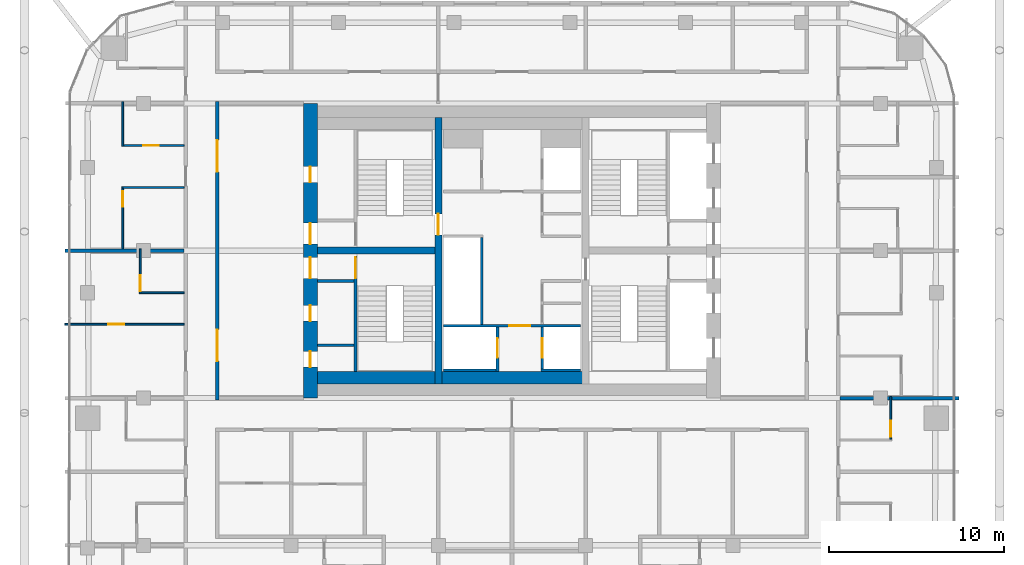
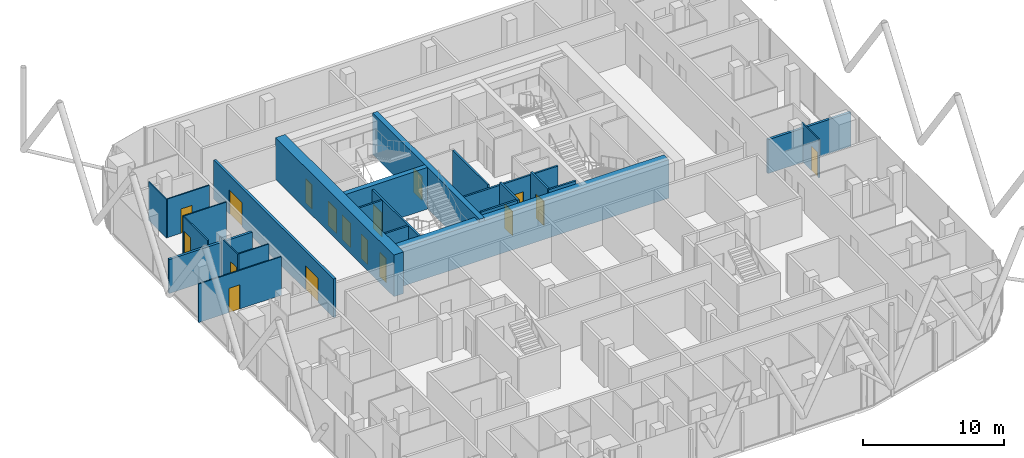
# One storey, part 24 of 28: 24 walls, 17 doors, 17 openings.
"""IFC4 building model written with IfcOpenShell, lengths in metres."""

from ifc_helpers import new_model, si_unit, direction, frame, frame_2d, origin, place, context, subcontext, project, spatial, rectangle, extrude, material, layer, layer_set, type_object, element, fill, save


model = new_model("IFC4")

# Units and contexts
model_context = context("Model", 3, precision=1e-05, world=origin(), true_north=direction((0.0, 1.0)))
body_context = subcontext(model_context, "Body", "Model", "MODEL_VIEW")
ifc_project = project(units=[si_unit("LENGTHUNIT", "METRE"), si_unit("AREAUNIT", "SQUARE_METRE"), si_unit("VOLUMEUNIT", "CUBIC_METRE"), si_unit("PLANEANGLEUNIT", "RADIAN"), si_unit("MASSUNIT", "GRAM", prefix="KILO")], contexts=[model_context])

# Site, building, storey
site_placement = place(None, origin())
site = spatial("IfcSite", under=ifc_project, at=site_placement, CompositionType="ELEMENT")
building_placement = place(site_placement, origin())
building = spatial("IfcBuilding", under=site, at=building_placement, Name="Marenta Gate Hotel Tower", CompositionType="ELEMENT")
storey_placement = place(building_placement, frame((0.0, 0.0, 212.89990234375)))
storey = spatial("IfcBuildingStorey", under=building, at=storey_placement, Name="L49", CompositionType="ELEMENT", Elevation=212.89990234375)

# Wall, openings, doors
ifc_material_1 = material(Name="Concrete blockwork", Category="masonry")
ifc_layer_1 = layer(ifc_material_1, 0.199951171875)
ifc_layer_set_1 = layer_set([ifc_layer_1], Name="Concrete blockwork")
wall_type_1 = type_object("IfcWallType", Name="Core boundary wall 200 REI 180", PredefinedType="PARTITIONING", material=ifc_layer_set_1)
wall_1_placement = place(storey_placement, frame((-16.800048828125, -0.10009765625, 0.0), z_axis=(0.0, 0.0, 1.0), x_axis=(0.0, 1.0, 0.0)))
wall_1 = element("IfcWall", 1, at=wall_1_placement, inside=storey, type_object=wall_type_1, Name="L49-CP-BW-W", PredefinedType="PARTITIONING", context=body_context, shape_type="SweptSolid", body=[
    extrude(rectangle(XDim=17.0, YDim=0.199951171875, at=frame_2d((8.5, 0.0))), origin(), (0.0, 0.0, 1.0), 3.340087890625),
])
opening_1_placement = place(wall_1_placement, frame((2.199951171875, 0.0, 0.0)))
opening_1 = element("IfcOpeningElement", 2, at=opening_1_placement, cuts=wall_1, Name="Opening ED-Wa-B", PredefinedType="OPENING", context=body_context, shape_type="SweptSolid", body=[
    extrude(rectangle(XDim=1.800048828125, YDim=2.10009765625, at=frame_2d((0.89990234375, 1.050048828125))), frame((0.0, 0.10009765625, 0.0), z_axis=(0.0, -1.0, 0.0), x_axis=(1.0, 0.0, 0.0)), (0.0, 0.0, 1.0), 0.199951171875),
])
opening_2_placement = place(wall_1_placement, frame((13.0, 0.0, 0.0)))
opening_2 = element("IfcOpeningElement", 3, at=opening_2_placement, cuts=wall_1, Name="Opening ED-Wb-B", PredefinedType="OPENING", context=body_context, shape_type="SweptSolid", body=[
    extrude(rectangle(XDim=1.800048828125, YDim=2.10009765625, at=frame_2d((0.89990234375, 1.050048828125))), frame((0.0, 0.10009765625, 0.0), z_axis=(0.0, -1.0, 0.0), x_axis=(1.0, 0.0, 0.0)), (0.0, 0.0, 1.0), 0.199951171875),
])
ifc_material_2 = material(Name="Steel", Category="steel")
door_type_1 = type_object("IfcDoorType", Name="Core lobby entrance door 1800x2100 EI 60", OperationType="DOUBLE_DOOR_SINGLE_SWING", PredefinedType="DOOR", material=ifc_material_2)
door_1_placement = place(opening_1_placement, origin())
door_1 = element("IfcDoor", 4, at=door_1_placement, inside=storey, type_object=door_type_1, Name="ED-Wa-B", OperationType="DOUBLE_DOOR_SINGLE_SWING", OverallHeight=2.10009765625, OverallWidth=1.800048828125, PredefinedType="DOOR", context=body_context, shape_type="SweptSolid", body=[
    extrude(rectangle(XDim=1.800048828125, YDim=2.10009765625, at=frame_2d((0.89990234375, 1.050048828125))), frame((0.0, 0.02490234375, 0.0), z_axis=(0.0, -1.0, 0.0), x_axis=(1.0, 0.0, 0.0)), (0.0, 0.0, 1.0), 0.050048828125),
])
fill(opening_1, door_1)
door_2_placement = place(opening_2_placement, origin())
door_2 = element("IfcDoor", 5, at=door_2_placement, inside=storey, type_object=door_type_1, Name="ED-Wb-B", OperationType="DOUBLE_DOOR_SINGLE_SWING", OverallHeight=2.10009765625, OverallWidth=1.800048828125, PredefinedType="DOOR", context=body_context, shape_type="SweptSolid", body=[
    extrude(rectangle(XDim=1.800048828125, YDim=2.10009765625, at=frame_2d((0.89990234375, 1.050048828125))), frame((0.0, 0.02490234375, 0.0), z_axis=(0.0, -1.0, 0.0), x_axis=(1.0, 0.0, 0.0)), (0.0, 0.0, 1.0), 0.050048828125),
])
fill(opening_2, door_2)

# Wall
ifc_material_3 = material(Name="Concrete C40", Category="concrete")
ifc_layer_2 = layer(ifc_material_3, 0.699951171875)
ifc_layer_set_2 = layer_set([ifc_layer_2], Name="Concrete C40")
wall_type_2 = type_object("IfcWallType", Name="Core lining wall 700 REI 180", PredefinedType="PARTITIONING", material=ifc_layer_set_2)
wall_2_placement = place(storey_placement, frame((-11.10009765625, 1.14990234375, 0.0), z_axis=(0.0, 0.0, 1.0), x_axis=(1.0, 0.0, 0.0)))
element("IfcWall", 6, at=wall_2_placement, inside=storey, type_object=wall_type_2, Name="L49-CP-LN-S", PredefinedType="PARTITIONING", context=body_context, shape_type="SweptSolid", body=[
    extrude(rectangle(XDim=22.2001953125, YDim=0.699951171875, at=frame_2d((11.10009765625, 0.0))), origin(), (0.0, 0.0, 1.0), 3.340087890625),
])

# Wall, opening, door
ifc_material_4 = material(Name="Concrete blockwork", Category="masonry")
ifc_layer_3 = layer(ifc_material_4, 0.14990234375)
ifc_layer_set_3 = layer_set([ifc_layer_3], Name="Concrete blockwork")
wall_type_3 = type_object("IfcWallType", Name="Core lobby partition 150 REI 180", PredefinedType="PARTITIONING", material=ifc_layer_set_3)
wall_3_placement = place(storey_placement, frame((-3.89990234375, 4.125, 0.0), z_axis=(0.0, 0.0, 1.0), x_axis=(1.0, 0.0, 0.0)))
wall_3 = element("IfcWall", 7, at=wall_3_placement, inside=storey, type_object=wall_type_3, Name="L49-CP-CW-S", PredefinedType="PARTITIONING", context=body_context, shape_type="SweptSolid", body=[
    extrude(rectangle(XDim=7.7998046875, YDim=0.14990234375, at=frame_2d((3.89990234375, 0.0))), origin(), (0.0, 0.0, 1.0), 3.340087890625),
])
opening_3_placement = place(wall_3_placement, frame((3.75, 0.0, 0.0)))
opening_3 = element("IfcOpeningElement", 8, at=opening_3_placement, cuts=wall_3, Name="Opening FD-FFS", PredefinedType="OPENING", context=body_context, shape_type="SweptSolid", body=[
    extrude(rectangle(XDim=1.199951171875, YDim=2.10009765625, at=frame_2d((0.60009765625, 1.050048828125))), frame((0.0, 0.074951171875, 0.0), z_axis=(0.0, -1.0, 0.0), x_axis=(1.0, 0.0, 0.0)), (0.0, 0.0, 1.0), 0.14990234375),
])
ifc_material_5 = material(Name="Steel", Category="steel")
door_type_2 = type_object("IfcDoorType", Name="Core lobby door 1200x2100 FD60", OperationType="SINGLE_SWING_LEFT", PredefinedType="DOOR", material=ifc_material_5)
door_3_placement = place(opening_3_placement, origin())
door_3 = element("IfcDoor", 9, at=door_3_placement, inside=storey, type_object=door_type_2, Name="FD-FFS", OperationType="SINGLE_SWING_LEFT", OverallHeight=2.10009765625, OverallWidth=1.199951171875, PredefinedType="DOOR", context=body_context, shape_type="SweptSolid", body=[
    extrude(rectangle(XDim=1.199951171875, YDim=2.10009765625, at=frame_2d((0.60009765625, 1.050048828125))), frame((0.0, 0.02490234375, 0.0), z_axis=(0.0, -1.0, 0.0), x_axis=(1.0, 0.0, 0.0)), (0.0, 0.0, 1.0), 0.050048828125),
])
fill(opening_3, door_3)

# Walls
ifc_material_6 = material(Name="Concrete blockwork", Category="masonry")
ifc_layer_4 = layer(ifc_material_6, 0.14990234375)
ifc_layer_set_4 = layer_set([ifc_layer_4], Name="Concrete blockwork")
wall_type_4 = type_object("IfcWallType", Name="Core room partition 150 REI 180", PredefinedType="PARTITIONING", material=ifc_layer_set_4)
for number, where, z_axis, x_axis, name in (
    (10, (-11.10009765625, 6.675048828125, 0.0), (0.0, 0.0, 1.0), (1.0, 0.0, 0.0), "L49-CP-SW-WS-2"),
    (11, (-11.10009765625, 3.0, 0.0), (0.0, 0.0, 1.0), (1.0, 0.0, 0.0), "L49-CP-RW-WS-1"),
):
    element("IfcWall", number, at=place(storey_placement, frame(where, z_axis=z_axis, x_axis=x_axis)), inside=storey, type_object=wall_type_4, Name=name, PredefinedType="PARTITIONING", context=body_context, shape_type="SweptSolid", body=[
        extrude(rectangle(XDim=2.10009765625, YDim=0.14990234375, at=frame_2d((1.050048828125, 0.0))), origin(), (0.0, 0.0, 1.0), 3.340087890625),
    ])

# Wall, opening, door
ifc_material_7 = material(Name="Concrete C40", Category="concrete")
ifc_layer_5 = layer(ifc_material_7, 0.14990234375)
ifc_layer_set_5 = layer_set([ifc_layer_5], Name="Concrete C40")
wall_type_5 = type_object("IfcWallType", Name="Core shaft wall 150 REI 180", PredefinedType="SHEAR", material=ifc_layer_set_5)
wall_4_placement = place(storey_placement, frame((-0.824951171875, 1.5, 0.0), z_axis=(0.0, 0.0, 1.0), x_axis=(0.0, 1.0, 0.0)))
wall_4 = element("IfcWall", 12, at=wall_4_placement, inside=storey, type_object=wall_type_5, Name="L49-SHF-CW-W-ff", PredefinedType="SHEAR", context=body_context, shape_type="SweptSolid", body=[
    extrude(rectangle(XDim=2.550048828125, YDim=0.14990234375, at=frame_2d((1.27490234375, 0.0))), origin(), (0.0, 0.0, 1.0), 3.60009765625),
])
opening_4_placement = place(wall_4_placement, frame((0.800048828125, 0.0, 0.0)))
opening_4 = element("IfcOpeningElement", 13, at=opening_4_placement, cuts=wall_4, Name="Opening LD-FF1", PredefinedType="OPENING", context=body_context, shape_type="SweptSolid", body=[
    extrude(rectangle(XDim=1.10009765625, YDim=2.10009765625, at=frame_2d((0.550048828125, 1.050048828125))), frame((0.0, 0.074951171875, 0.0), z_axis=(0.0, -1.0, 0.0), x_axis=(1.0, 0.0, 0.0)), (0.0, 0.0, 1.0), 0.14990234375),
])
ifc_material_8 = material(Name="Steel", Category="steel")
door_type_3 = type_object("IfcDoorType", Name="Core lift landing door 1100x2100 E 60", OperationType="SLIDING_TO_LEFT", PredefinedType="DOOR", material=ifc_material_8)
door_4_placement = place(opening_4_placement, origin())
door_4 = element("IfcDoor", 14, at=door_4_placement, inside=storey, type_object=door_type_3, Name="LD-FF1", OperationType="SLIDING_TO_LEFT", OverallHeight=2.10009765625, OverallWidth=1.10009765625, PredefinedType="DOOR", context=body_context, shape_type="SweptSolid", body=[
    extrude(rectangle(XDim=1.10009765625, YDim=2.10009765625, at=frame_2d((0.550048828125, 1.050048828125))), frame((0.0, 0.02490234375, 0.0), z_axis=(0.0, -1.0, 0.0), x_axis=(1.0, 0.0, 0.0)), (0.0, 0.0, 1.0), 0.050048828125),
])
fill(opening_4, door_4)

# Walls
wall_5_placement = place(storey_placement, frame((-3.89990234375, 1.574951171875, 0.0), z_axis=(0.0, 0.0, 1.0), x_axis=(1.0, 0.0, 0.0)))
element("IfcWall", 15, at=wall_5_placement, inside=storey, type_object=wall_type_5, Name="L49-SHF-CW-W-ffs", PredefinedType="SHEAR", context=body_context, shape_type="SweptSolid", body=[
    extrude(rectangle(XDim=3.0, YDim=0.14990234375, at=frame_2d((1.5, 0.0))), origin(), (0.0, 0.0, 1.0), 3.60009765625),
])
wall_6_placement = place(storey_placement, frame((-1.72509765625, 4.199951171875, 0.0), z_axis=(0.0, 0.0, 1.0), x_axis=(0.0, 1.0, 0.0)))
element("IfcWall", 16, at=wall_6_placement, inside=storey, type_object=wall_type_5, Name="L49-SHF-CW-W-front", PredefinedType="SHEAR", context=body_context, shape_type="SweptSolid", body=[
    extrude(rectangle(XDim=4.949951171875, YDim=0.14990234375, at=frame_2d((2.47509765625, 0.0))), origin(), (0.0, 0.0, 1.0), 3.60009765625),
])

# Wall, opening, door
wall_7_placement = place(storey_placement, frame((1.72509765625, 1.64990234375, 0.0), z_axis=(0.0, 0.0, 1.0), x_axis=(0.0, 1.0, 0.0)))
wall_7 = element("IfcWall", 17, at=wall_7_placement, inside=storey, type_object=wall_type_5, Name="L49-SHF-CE-S-ls", PredefinedType="SHEAR", context=body_context, shape_type="SweptSolid", body=[
    extrude(rectangle(XDim=2.400146484375, YDim=0.14990234375, at=frame_2d((1.2001953125, 0.0))), origin(), (0.0, 0.0, 1.0), 3.60009765625),
])
opening_5_placement = place(wall_7_placement, frame((0.64990234375, 0.0, 0.0)))
opening_5 = element("IfcOpeningElement", 18, at=opening_5_placement, cuts=wall_7, Name="Opening LD-SV1", PredefinedType="OPENING", context=body_context, shape_type="SweptSolid", body=[
    extrude(rectangle(XDim=1.10009765625, YDim=2.10009765625, at=frame_2d((0.550048828125, 1.050048828125))), frame((0.0, 0.074951171875, 0.0), z_axis=(0.0, -1.0, 0.0), x_axis=(1.0, 0.0, 0.0)), (0.0, 0.0, 1.0), 0.14990234375),
])
door_5_placement = place(opening_5_placement, origin())
door_5 = element("IfcDoor", 19, at=door_5_placement, inside=storey, type_object=door_type_3, Name="LD-SV1", OperationType="SLIDING_TO_LEFT", OverallHeight=2.10009765625, OverallWidth=1.10009765625, PredefinedType="DOOR", context=body_context, shape_type="SweptSolid", body=[
    extrude(rectangle(XDim=1.10009765625, YDim=2.10009765625, at=frame_2d((0.550048828125, 1.050048828125))), frame((0.0, 0.02490234375, 0.0), z_axis=(0.0, -1.0, 0.0), x_axis=(1.0, 0.0, 0.0)), (0.0, 0.0, 1.0), 0.050048828125),
])
fill(opening_5, door_5)

# Wall
wall_8_placement = place(storey_placement, frame((1.64990234375, 1.574951171875, 0.0), z_axis=(0.0, 0.0, 1.0), x_axis=(1.0, 0.0, 0.0)))
element("IfcWall", 20, at=wall_8_placement, inside=storey, type_object=wall_type_5, Name="L49-SHF-CE-S-bot", PredefinedType="SHEAR", context=body_context, shape_type="SweptSolid", body=[
    extrude(rectangle(XDim=2.25, YDim=0.14990234375, at=frame_2d((1.125, 0.0))), origin(), (0.0, 0.0, 1.0), 3.60009765625),
])

# Wall, opening, door
ifc_material_9 = material(Name="Concrete C40", Category="concrete")
ifc_layer_6 = layer(ifc_material_9, 0.14990234375)
ifc_layer_set_6 = layer_set([ifc_layer_6], Name="Concrete C40")
wall_type_6 = type_object("IfcWallType", Name="Core stair enclosure wall 150 REI 180", PredefinedType="SHEAR", material=ifc_layer_set_6)
wall_9_placement = place(storey_placement, frame((-8.925048828125, 1.5, 0.0), z_axis=(0.0, 0.0, 1.0), x_axis=(0.0, 1.0, 0.0)))
wall_9 = element("IfcWall", 21, at=wall_9_placement, inside=storey, type_object=wall_type_6, Name="L49-SHF-SW-WS-3", PredefinedType="SHEAR", context=body_context, shape_type="SweptSolid", body=[
    extrude(rectangle(XDim=6.60009765625, YDim=0.14990234375, at=frame_2d((3.300048828125, 0.0))), origin(), (0.0, 0.0, 1.0), 3.340087890625),
])
opening_6_placement = place(wall_9_placement, frame((5.324951171875, 0.0, 0.0)))
opening_6 = element("IfcOpeningElement", 22, at=opening_6_placement, cuts=wall_9, Name="Opening SD-WS", PredefinedType="OPENING", context=body_context, shape_type="SweptSolid", body=[
    extrude(rectangle(XDim=1.199951171875, YDim=2.10009765625, at=frame_2d((0.60009765625, 1.050048828125))), frame((0.0, 0.074951171875, 0.0), z_axis=(0.0, -1.0, 0.0), x_axis=(1.0, 0.0, 0.0)), (0.0, 0.0, 1.0), 0.14990234375),
])
ifc_material_10 = material(Name="Steel", Category="steel")
door_type_4 = type_object("IfcDoorType", Name="Core stair door 1200x2100 FD60", OperationType="SINGLE_SWING_LEFT", PredefinedType="DOOR", material=ifc_material_10)
door_6_placement = place(opening_6_placement, origin())
door_6 = element("IfcDoor", 23, at=door_6_placement, inside=storey, type_object=door_type_4, Name="SD-WS", OperationType="SINGLE_SWING_LEFT", OverallHeight=2.10009765625, OverallWidth=1.199951171875, PredefinedType="DOOR", context=body_context, shape_type="SweptSolid", body=[
    extrude(rectangle(XDim=1.199951171875, YDim=2.10009765625, at=frame_2d((0.60009765625, 1.050048828125))), frame((0.0, 0.02490234375, 0.0), z_axis=(0.0, -1.0, 0.0), x_axis=(1.0, 0.0, 0.0)), (0.0, 0.0, 1.0), 0.050048828125),
])
fill(opening_6, door_6)

# Wall, openings, doors
ifc_material_11 = material(Name="Concrete C60", Category="concrete")
ifc_layer_7 = layer(ifc_material_11, 0.800048828125)
ifc_layer_set_7 = layer_set([ifc_layer_7], Name="Concrete C60")
wall_type_7 = type_object("IfcWallType", Name="Core wall 800 C60", PredefinedType="SHEAR", material=ifc_layer_set_7)
wall_10_placement = place(storey_placement, frame((-11.5, 0.0, 0.0), z_axis=(0.0, 0.0, 1.0), x_axis=(0.0, 1.0, 0.0)))
wall_10 = element("IfcWall", 24, at=wall_10_placement, inside=storey, type_object=wall_type_7, Name="L49-CORE-W", PredefinedType="SHEAR", context=body_context, shape_type="SweptSolid", body=[
    extrude(rectangle(XDim=16.800048828125, YDim=0.800048828125, at=frame_2d((8.39990234375, 0.0))), origin(), (0.0, 0.0, 1.0), 3.60009765625),
])
opening_7_placement = place(wall_10_placement, frame((1.762451171875, 0.0, 0.0)))
opening_7 = element("IfcOpeningElement", 25, at=opening_7_placement, cuts=wall_10, Name="Opening RD-WS-1", PredefinedType="OPENING", context=body_context, shape_type="SweptSolid", body=[
    extrude(rectangle(XDim=0.89990234375, YDim=2.10009765625, at=frame_2d((0.449951171875, 1.050048828125))), frame((0.0, 0.39990234375, 0.0), z_axis=(0.0, -1.0, 0.0), x_axis=(1.0, 0.0, 0.0)), (0.0, 0.0, 1.0), 0.800048828125),
])
opening_8_placement = place(wall_10_placement, frame((4.387451171875, 0.0, 0.0)))
opening_8 = element("IfcOpeningElement", 26, at=opening_8_placement, cuts=wall_10, Name="Opening RD-WS-2", PredefinedType="OPENING", context=body_context, shape_type="SweptSolid", body=[
    extrude(rectangle(XDim=0.89990234375, YDim=2.10009765625, at=frame_2d((0.449951171875, 1.050048828125))), frame((0.0, 0.39990234375, 0.0), z_axis=(0.0, -1.0, 0.0), x_axis=(1.0, 0.0, 0.0)), (0.0, 0.0, 1.0), 0.800048828125),
])
opening_9_placement = place(wall_10_placement, frame((6.824951171875, 0.0, 0.0)))
opening_9 = element("IfcOpeningElement", 27, at=opening_9_placement, cuts=wall_10, Name="Opening PD-WS", PredefinedType="OPENING", context=body_context, shape_type="SweptSolid", body=[
    extrude(rectangle(XDim=1.199951171875, YDim=2.10009765625, at=frame_2d((0.60009765625, 1.050048828125))), frame((0.0, 0.39990234375, 0.0), z_axis=(0.0, -1.0, 0.0), x_axis=(1.0, 0.0, 0.0)), (0.0, 0.0, 1.0), 0.800048828125),
])
opening_10_placement = place(wall_10_placement, frame((12.300048828125, 0.0, 0.0)))
opening_10 = element("IfcOpeningElement", 28, at=opening_10_placement, cuts=wall_10, Name="Opening RD-WN-1", PredefinedType="OPENING", context=body_context, shape_type="SweptSolid", body=[
    extrude(rectangle(XDim=0.89990234375, YDim=2.10009765625, at=frame_2d((0.449951171875, 1.050048828125))), frame((0.0, 0.39990234375, 0.0), z_axis=(0.0, -1.0, 0.0), x_axis=(1.0, 0.0, 0.0)), (0.0, 0.0, 1.0), 0.800048828125),
])
opening_11_placement = place(wall_10_placement, frame((8.77490234375, 0.0, 0.0)))
opening_11 = element("IfcOpeningElement", 29, at=opening_11_placement, cuts=wall_10, Name="Opening PD-WN", PredefinedType="OPENING", context=body_context, shape_type="SweptSolid", body=[
    extrude(rectangle(XDim=1.199951171875, YDim=2.10009765625, at=frame_2d((0.60009765625, 1.050048828125))), frame((0.0, 0.39990234375, 0.0), z_axis=(0.0, -1.0, 0.0), x_axis=(1.0, 0.0, 0.0)), (0.0, 0.0, 1.0), 0.800048828125),
])
door_7_placement = place(opening_9_placement, origin())
door_7 = element("IfcDoor", 30, at=door_7_placement, inside=storey, type_object=door_type_2, Name="PD-WS", OperationType="SINGLE_SWING_LEFT", OverallHeight=2.10009765625, OverallWidth=1.199951171875, PredefinedType="DOOR", context=body_context, shape_type="SweptSolid", body=[
    extrude(rectangle(XDim=1.199951171875, YDim=2.10009765625, at=frame_2d((0.60009765625, 1.050048828125))), frame((0.0, 0.02490234375, 0.0), z_axis=(0.0, -1.0, 0.0), x_axis=(1.0, 0.0, 0.0)), (0.0, 0.0, 1.0), 0.050048828125),
])
fill(opening_9, door_7)
door_8_placement = place(opening_11_placement, origin())
door_8 = element("IfcDoor", 31, at=door_8_placement, inside=storey, type_object=door_type_2, Name="PD-WN", OperationType="SINGLE_SWING_LEFT", OverallHeight=2.10009765625, OverallWidth=1.199951171875, PredefinedType="DOOR", context=body_context, shape_type="SweptSolid", body=[
    extrude(rectangle(XDim=1.199951171875, YDim=2.10009765625, at=frame_2d((0.60009765625, 1.050048828125))), frame((0.0, 0.02490234375, 0.0), z_axis=(0.0, -1.0, 0.0), x_axis=(1.0, 0.0, 0.0)), (0.0, 0.0, 1.0), 0.050048828125),
])
fill(opening_11, door_8)
ifc_material_12 = material(Name="Steel", Category="steel")
door_type_5 = type_object("IfcDoorType", Name="Core service room door 900x2100 FD30S", OperationType="SINGLE_SWING_LEFT", PredefinedType="DOOR", material=ifc_material_12)
door_9_placement = place(opening_7_placement, origin())
door_9 = element("IfcDoor", 32, at=door_9_placement, inside=storey, type_object=door_type_5, Name="RD-WS-1", OperationType="SINGLE_SWING_LEFT", OverallHeight=2.10009765625, OverallWidth=0.89990234375, PredefinedType="DOOR", context=body_context, shape_type="SweptSolid", body=[
    extrude(rectangle(XDim=0.89990234375, YDim=2.10009765625, at=frame_2d((0.449951171875, 1.050048828125))), frame((0.0, 0.02490234375, 0.0), z_axis=(0.0, -1.0, 0.0), x_axis=(1.0, 0.0, 0.0)), (0.0, 0.0, 1.0), 0.050048828125),
])
fill(opening_7, door_9)
door_10_placement = place(opening_8_placement, origin())
door_10 = element("IfcDoor", 33, at=door_10_placement, inside=storey, type_object=door_type_5, Name="RD-WS-2", OperationType="SINGLE_SWING_LEFT", OverallHeight=2.10009765625, OverallWidth=0.89990234375, PredefinedType="DOOR", context=body_context, shape_type="SweptSolid", body=[
    extrude(rectangle(XDim=0.89990234375, YDim=2.10009765625, at=frame_2d((0.449951171875, 1.050048828125))), frame((0.0, 0.02490234375, 0.0), z_axis=(0.0, -1.0, 0.0), x_axis=(1.0, 0.0, 0.0)), (0.0, 0.0, 1.0), 0.050048828125),
])
fill(opening_8, door_10)
door_11_placement = place(opening_10_placement, origin())
door_11 = element("IfcDoor", 34, at=door_11_placement, inside=storey, type_object=door_type_5, Name="RD-WN-1", OperationType="SINGLE_SWING_LEFT", OverallHeight=2.10009765625, OverallWidth=0.89990234375, PredefinedType="DOOR", context=body_context, shape_type="SweptSolid", body=[
    extrude(rectangle(XDim=0.89990234375, YDim=2.10009765625, at=frame_2d((0.449951171875, 1.050048828125))), frame((0.0, 0.02490234375, 0.0), z_axis=(0.0, -1.0, 0.0), x_axis=(1.0, 0.0, 0.0)), (0.0, 0.0, 1.0), 0.050048828125),
])
fill(opening_10, door_11)

# Wall, opening, door
ifc_material_13 = material(Name="Concrete C60", Category="concrete")
ifc_layer_8 = layer(ifc_material_13, 0.39990234375)
ifc_layer_set_8 = layer_set([ifc_layer_8], Name="Concrete C60")
wall_type_8 = type_object("IfcWallType", Name="Core web 400 C60", PredefinedType="SHEAR", material=ifc_layer_set_8)
wall_11_placement = place(storey_placement, frame((-4.199951171875, 0.800048828125, 0.0), z_axis=(0.0, 0.0, 1.0), x_axis=(0.0, 1.0, 0.0)))
wall_11 = element("IfcWall", 35, at=wall_11_placement, inside=storey, type_object=wall_type_8, Name="L49-CORE-W1", PredefinedType="SHEAR", context=body_context, shape_type="SweptSolid", body=[
    extrude(rectangle(XDim=15.199951171875, YDim=0.39990234375, at=frame_2d((7.60009765625, 0.0))), origin(), (0.0, 0.0, 1.0), 3.60009765625),
])
opening_12_placement = place(wall_11_placement, frame((8.5, 0.0, 0.0)))
opening_12 = element("IfcOpeningElement", 36, at=opening_12_placement, cuts=wall_11, Name="Opening WD-W", PredefinedType="OPENING", context=body_context, shape_type="SweptSolid", body=[
    extrude(rectangle(XDim=1.199951171875, YDim=2.10009765625, at=frame_2d((0.60009765625, 1.050048828125))), frame((0.0, 0.199951171875, 0.0), z_axis=(0.0, -1.0, 0.0), x_axis=(1.0, 0.0, 0.0)), (0.0, 0.0, 1.0), 0.39990234375),
])
door_12_placement = place(opening_12_placement, origin())
door_12 = element("IfcDoor", 37, at=door_12_placement, inside=storey, type_object=door_type_4, Name="WD-W", OperationType="SINGLE_SWING_LEFT", OverallHeight=2.10009765625, OverallWidth=1.199951171875, PredefinedType="DOOR", context=body_context, shape_type="SweptSolid", body=[
    extrude(rectangle(XDim=1.199951171875, YDim=2.10009765625, at=frame_2d((0.60009765625, 1.050048828125))), frame((0.0, 0.02490234375, 0.0), z_axis=(0.0, -1.0, 0.0), x_axis=(1.0, 0.0, 0.0)), (0.0, 0.0, 1.0), 0.050048828125),
])
fill(opening_12, door_12)

# Wall
wall_12_placement = place(storey_placement, frame((-11.10009765625, 8.39990234375, 0.0), z_axis=(0.0, 0.0, 1.0), x_axis=(1.0, 0.0, 0.0)))
element("IfcWall", 38, at=wall_12_placement, inside=storey, type_object=wall_type_8, Name="L49-CORE-W3", PredefinedType="SHEAR", context=body_context, shape_type="SweptSolid", body=[
    extrude(rectangle(XDim=6.7001953125, YDim=0.39990234375, at=frame_2d((3.35009765625, 0.0))), origin(), (0.0, 0.0, 1.0), 3.60009765625),
])

# Wall, opening, door
ifc_material_14 = material(Name="Gypsum board on steel stud", Category="steel")
ifc_layer_9 = layer(ifc_material_14, 0.10009765625)
ifc_layer_set_9 = layer_set([ifc_layer_9], Name="Gypsum board on steel stud")
wall_type_9 = type_object("IfcWallType", Name="Room partition 100", PredefinedType="PARTITIONING", material=ifc_layer_set_9)
wall_13_placement = place(storey_placement, frame((21.60009765625, -2.35009765625, 0.0), z_axis=(0.0, 0.0, 1.0), x_axis=(0.0, 1.0, 0.0)))
wall_13 = element("IfcWall", 39, at=wall_13_placement, inside=storey, type_object=wall_type_9, Name="L49-PTN-W024", PredefinedType="PARTITIONING", context=body_context, shape_type="SweptSolid", body=[
    extrude(rectangle(XDim=2.4501953125, YDim=0.10009765625, at=frame_2d((1.22509765625, 0.0))), origin(), (0.0, 0.0, 1.0), 3.340087890625),
])
opening_13_placement = place(wall_13_placement, frame((0.14990234375, 0.0, 0.0)))
opening_13 = element("IfcOpeningElement", 40, at=opening_13_placement, cuts=wall_13, Name="Opening G17-26", PredefinedType="OPENING", context=body_context, shape_type="SweptSolid", body=[
    extrude(rectangle(XDim=0.89990234375, YDim=2.10009765625, at=frame_2d((0.449951171875, 1.050048828125))), frame((0.0, 0.050048828125, 0.0), z_axis=(0.0, -1.0, 0.0), x_axis=(1.0, 0.0, 0.0)), (0.0, 0.0, 1.0), 0.10009765625),
])
ifc_material_15 = material(Name="Timber door leaf", Category="wood")
door_type_6 = type_object("IfcDoorType", Name="Guest bathroom door 900x2100", OperationType="NOTDEFINED", PredefinedType="DOOR", material=ifc_material_15)
door_13_placement = place(opening_13_placement, origin())
door_13 = element("IfcDoor", 41, at=door_13_placement, inside=storey, type_object=door_type_6, Name="L49-PD-D026", OperationType="SINGLE_SWING_LEFT", OverallHeight=2.10009765625, OverallWidth=0.89990234375, PredefinedType="DOOR", context=body_context, shape_type="SweptSolid", body=[
    extrude(rectangle(XDim=0.89990234375, YDim=2.10009765625, at=frame_2d((0.449951171875, 1.050048828125))), frame((0.0, 0.02490234375, 0.0), z_axis=(0.0, -1.0, 0.0), x_axis=(1.0, 0.0, 0.0)), (0.0, 0.0, 1.0), 0.050048828125),
])
fill(opening_13, door_13)

wall_14_placement = place(storey_placement, frame((-25.5, 4.199951171875, 0.0), z_axis=(0.0, 0.0, 1.0), x_axis=(1.0, 0.0, 0.0)))
wall_14 = element("IfcWall", 42, at=wall_14_placement, inside=storey, type_object=wall_type_9, Name="L49-PTN-W091", PredefinedType="PARTITIONING", context=body_context, shape_type="SweptSolid", body=[
    extrude(rectangle(XDim=6.800048828125, YDim=0.10009765625, at=frame_2d((3.39990234375, 0.0))), origin(), (0.0, 0.0, 1.0), 3.340087890625),
])
opening_14_placement = place(wall_14_placement, frame((2.489990234375, 0.0, 0.0)))
opening_14 = element("IfcOpeningElement", 43, at=opening_14_placement, cuts=wall_14, Name="Opening G17-68", PredefinedType="OPENING", context=body_context, shape_type="SweptSolid", body=[
    extrude(rectangle(XDim=0.89990234375, YDim=2.10009765625, at=frame_2d((0.449951171875, 1.050048828125))), frame((0.0, 0.050048828125, 0.0), z_axis=(0.0, -1.0, 0.0), x_axis=(1.0, 0.0, 0.0)), (0.0, 0.0, 1.0), 0.10009765625),
])
ifc_material_16 = material(Name="Timber door leaf", Category="wood")
door_type_7 = type_object("IfcDoorType", Name="Room inner door 900x2100", OperationType="NOTDEFINED", PredefinedType="DOOR", material=ifc_material_16)
door_14_placement = place(opening_14_placement, origin())
door_14 = element("IfcDoor", 44, at=door_14_placement, inside=storey, type_object=door_type_7, Name="L49-PD-D068", OperationType="SINGLE_SWING_LEFT", OverallHeight=2.10009765625, OverallWidth=0.89990234375, PredefinedType="DOOR", context=body_context, shape_type="SweptSolid", body=[
    extrude(rectangle(XDim=0.89990234375, YDim=2.10009765625, at=frame_2d((0.449951171875, 1.050048828125))), frame((0.0, 0.02490234375, 0.0), z_axis=(0.0, -1.0, 0.0), x_axis=(1.0, 0.0, 0.0)), (0.0, 0.0, 1.0), 0.050048828125),
])
fill(opening_14, door_14)

# Walls
wall_15_placement = place(storey_placement, frame((-21.14990234375, 6.0, 0.0), z_axis=(0.0, 0.0, 1.0), x_axis=(1.0, 0.0, 0.0)))
element("IfcWall", 45, at=wall_15_placement, inside=storey, type_object=wall_type_9, Name="L49-PTN-W093", PredefinedType="PARTITIONING", context=body_context, shape_type="SweptSolid", body=[
    extrude(rectangle(XDim=2.449951171875, YDim=0.10009765625, at=frame_2d((1.22509765625, 0.0))), origin(), (0.0, 0.0, 1.0), 3.340087890625),
])
wall_16_placement = place(storey_placement, frame((-22.25, 12.0, 0.0), z_axis=(0.0, 0.0, 1.0), x_axis=(1.0, 0.0, 0.0)))
element("IfcWall", 46, at=wall_16_placement, inside=storey, type_object=wall_type_9, Name="L49-PTN-W103", PredefinedType="PARTITIONING", context=body_context, shape_type="SweptSolid", body=[
    extrude(rectangle(XDim=3.550048828125, YDim=0.10009765625, at=frame_2d((1.77490234375, 0.0))), origin(), (0.0, 0.0, 1.0), 3.340087890625),
])

# Wall, opening, door
wall_17_placement = place(storey_placement, frame((-22.14990234375, 14.39990234375, 0.0), z_axis=(0.0, 0.0, 1.0), x_axis=(1.0, 0.0, 0.0)))
wall_17 = element("IfcWall", 47, at=wall_17_placement, inside=storey, type_object=wall_type_9, Name="L49-PTN-W109", PredefinedType="PARTITIONING", context=body_context, shape_type="SweptSolid", body=[
    extrude(rectangle(XDim=3.449951171875, YDim=0.10009765625, at=frame_2d((1.72509765625, 0.0))), origin(), (0.0, 0.0, 1.0), 3.340087890625),
])
opening_15_placement = place(wall_17_placement, frame((1.1201171875, 0.0, 0.0)))
opening_15 = element("IfcOpeningElement", 48, at=opening_15_placement, cuts=wall_17, Name="Opening G17-72", PredefinedType="OPENING", context=body_context, shape_type="SweptSolid", body=[
    extrude(rectangle(XDim=0.89990234375, YDim=2.10009765625, at=frame_2d((0.449951171875, 1.050048828125))), frame((0.0, 0.050048828125, 0.0), z_axis=(0.0, -1.0, 0.0), x_axis=(1.0, 0.0, 0.0)), (0.0, 0.0, 1.0), 0.10009765625),
])
door_15_placement = place(opening_15_placement, origin())
door_15 = element("IfcDoor", 49, at=door_15_placement, inside=storey, type_object=door_type_7, Name="L49-PD-D072", OperationType="SINGLE_SWING_LEFT", OverallHeight=2.10009765625, OverallWidth=0.89990234375, PredefinedType="DOOR", context=body_context, shape_type="SweptSolid", body=[
    extrude(rectangle(XDim=0.89990234375, YDim=2.10009765625, at=frame_2d((0.449951171875, 1.050048828125))), frame((0.0, 0.02490234375, 0.0), z_axis=(0.0, -1.0, 0.0), x_axis=(1.0, 0.0, 0.0)), (0.0, 0.0, 1.0), 0.050048828125),
])
fill(opening_15, door_15)

wall_18_placement = place(storey_placement, frame((-21.199951171875, 5.949951171875, 0.0), z_axis=(0.0, 0.0, 1.0), x_axis=(0.0, 1.0, 0.0)))
wall_18 = element("IfcWall", 50, at=wall_18_placement, inside=storey, type_object=wall_type_9, Name="L49-PTN-W122", PredefinedType="PARTITIONING", context=body_context, shape_type="SweptSolid", body=[
    extrude(rectangle(XDim=2.550048828125, YDim=0.10009765625, at=frame_2d((1.27490234375, 0.0))), origin(), (0.0, 0.0, 1.0), 3.340087890625),
])
opening_16_placement = place(wall_18_placement, frame((0.14990234375, 0.0, 0.0)))
opening_16 = element("IfcOpeningElement", 51, at=opening_16_placement, cuts=wall_18, Name="Opening G17-69", PredefinedType="OPENING", context=body_context, shape_type="SweptSolid", body=[
    extrude(rectangle(XDim=0.89990234375, YDim=2.10009765625, at=frame_2d((0.449951171875, 1.050048828125))), frame((0.0, 0.050048828125, 0.0), z_axis=(0.0, -1.0, 0.0), x_axis=(1.0, 0.0, 0.0)), (0.0, 0.0, 1.0), 0.10009765625),
])
door_16_placement = place(opening_16_placement, origin())
door_16 = element("IfcDoor", 52, at=door_16_placement, inside=storey, type_object=door_type_6, Name="L49-PD-D069", OperationType="SINGLE_SWING_RIGHT", OverallHeight=2.10009765625, OverallWidth=0.89990234375, PredefinedType="DOOR", context=body_context, shape_type="SweptSolid", body=[
    extrude(rectangle(XDim=0.89990234375, YDim=2.10009765625, at=frame_2d((0.449951171875, 1.050048828125))), frame((0.0, 0.02490234375, 0.0), z_axis=(0.0, -1.0, 0.0), x_axis=(1.0, 0.0, 0.0)), (0.0, 0.0, 1.0), 0.050048828125),
])
fill(opening_16, door_16)

wall_19_placement = place(storey_placement, frame((-22.199951171875, 8.5, 0.0), z_axis=(0.0, 0.0, 1.0), x_axis=(0.0, 1.0, 0.0)))
wall_19 = element("IfcWall", 53, at=wall_19_placement, inside=storey, type_object=wall_type_9, Name="L49-PTN-W128", PredefinedType="PARTITIONING", context=body_context, shape_type="SweptSolid", body=[
    extrude(rectangle(XDim=3.449951171875, YDim=0.10009765625, at=frame_2d((1.72509765625, 0.0))), origin(), (0.0, 0.0, 1.0), 3.340087890625),
])
opening_17_placement = place(wall_19_placement, frame((2.39990234375, 0.0, 0.0)))
opening_17 = element("IfcOpeningElement", 54, at=opening_17_placement, cuts=wall_19, Name="Opening G17-71", PredefinedType="OPENING", context=body_context, shape_type="SweptSolid", body=[
    extrude(rectangle(XDim=0.89990234375, YDim=2.10009765625, at=frame_2d((0.449951171875, 1.050048828125))), frame((0.0, 0.050048828125, 0.0), z_axis=(0.0, -1.0, 0.0), x_axis=(1.0, 0.0, 0.0)), (0.0, 0.0, 1.0), 0.10009765625),
])
door_17_placement = place(opening_17_placement, origin())
door_17 = element("IfcDoor", 55, at=door_17_placement, inside=storey, type_object=door_type_6, Name="L49-PD-D071", OperationType="SINGLE_SWING_LEFT", OverallHeight=2.10009765625, OverallWidth=0.89990234375, PredefinedType="DOOR", context=body_context, shape_type="SweptSolid", body=[
    extrude(rectangle(XDim=0.89990234375, YDim=2.10009765625, at=frame_2d((0.449951171875, 1.050048828125))), frame((0.0, 0.02490234375, 0.0), z_axis=(0.0, -1.0, 0.0), x_axis=(1.0, 0.0, 0.0)), (0.0, 0.0, 1.0), 0.050048828125),
])
fill(opening_17, door_17)

# Walls
wall_20_placement = place(storey_placement, frame((-22.199951171875, 14.35009765625, 0.0), z_axis=(0.0, 0.0, 1.0), x_axis=(0.0, 1.0, 0.0)))
element("IfcWall", 56, at=wall_20_placement, inside=storey, type_object=wall_type_9, Name="L49-PTN-W129", PredefinedType="PARTITIONING", context=body_context, shape_type="SweptSolid", body=[
    extrude(rectangle(XDim=2.5498046875, YDim=0.10009765625, at=frame_2d((1.27490234375, 0.0))), origin(), (0.0, 0.0, 1.0), 3.340087890625),
])
ifc_material_17 = material(Name="Gypsum board on steel stud", Category="steel")
ifc_layer_10 = layer(ifc_material_17, 0.199951171875)
ifc_layer_set_10 = layer_set([ifc_layer_10], Name="Gypsum board on steel stud")
wall_type_10 = type_object("IfcWallType", Name="Room party wall 200 EI 60", PredefinedType="PARTITIONING", material=ifc_layer_set_10)
for number, where, z_axis, x_axis, name in (
    (57, (18.699951171875, 0.0, 0.0), (0.0, 0.0, 1.0), (1.0, 0.0, 0.0), "L49-PTN-W084"),
    (58, (-25.5, 8.39990234375, 0.0), (0.0, 0.0, 1.0), (1.0, 0.0, 0.0), "L49-PTN-W098"),
):
    element("IfcWall", number, at=place(storey_placement, frame(where, z_axis=z_axis, x_axis=x_axis)), inside=storey, type_object=wall_type_10, Name=name, PredefinedType="PARTITIONING", context=body_context, shape_type="SweptSolid", body=[
        extrude(rectangle(XDim=6.800048828125, YDim=0.199951171875, at=frame_2d((3.39990234375, 0.0))), origin(), (0.0, 0.0, 1.0), 2.940185546875),
    ])

save(model, "model.ifc")
